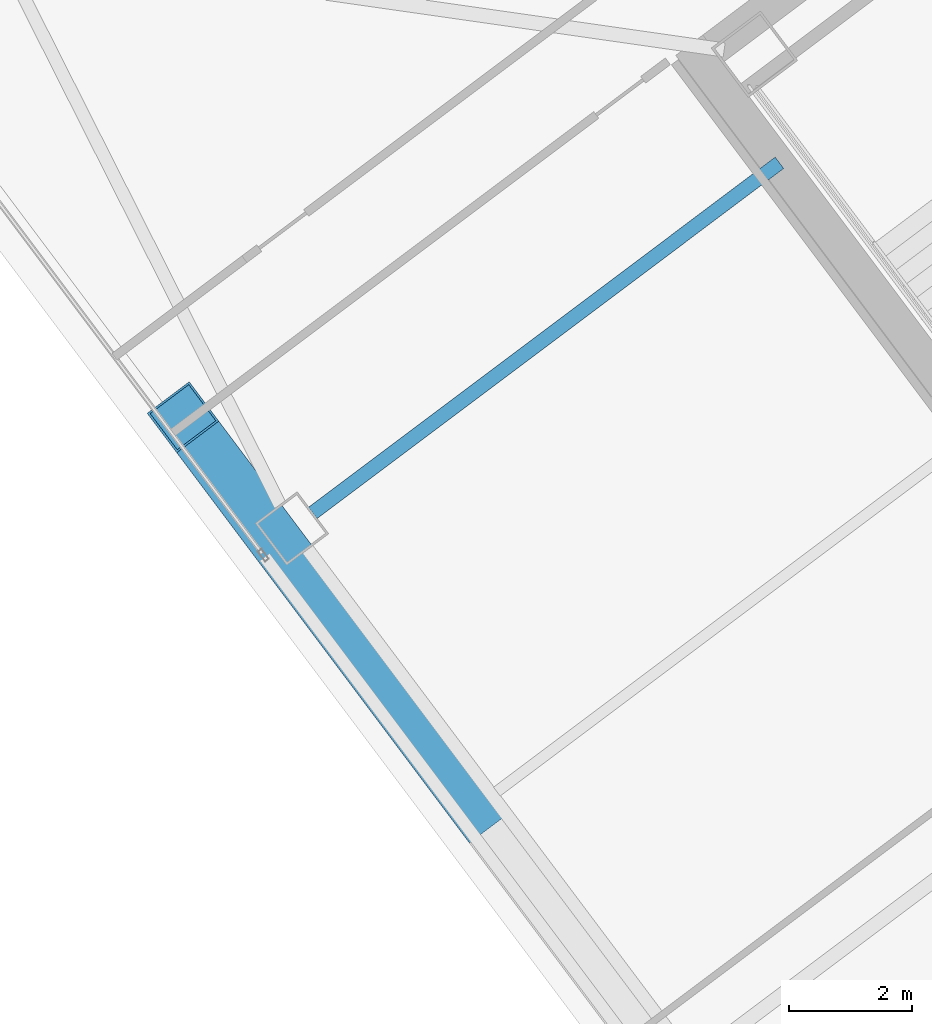
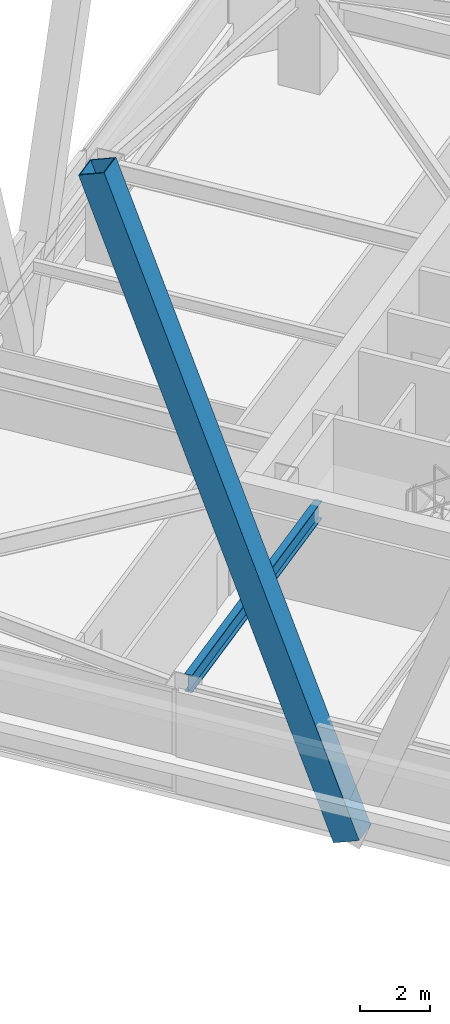
# One storey, part 24 of 50: 1 beam, 1 member.
"""IFC4 building model written with IfcOpenShell, lengths in metres."""

from ifc_helpers import new_model, si_unit, direction, frame, origin, origin_2d, place, context, subcontext, project, spatial, hollow_rectangle, i_section, extrude, material, material_profile, profile_set, type_object, element, save


model = new_model("IFC4")

# Units and contexts
model_context = context("Model", 3, precision=1e-05, world=origin(), true_north=direction((0.0, 1.0)))
body_context = subcontext(model_context, "Body", "Model", "MODEL_VIEW")
ifc_project = project(units=[si_unit("LENGTHUNIT", "METRE"), si_unit("AREAUNIT", "SQUARE_METRE"), si_unit("VOLUMEUNIT", "CUBIC_METRE"), si_unit("PLANEANGLEUNIT", "RADIAN"), si_unit("MASSUNIT", "GRAM", prefix="KILO")], contexts=[model_context])

# Site, building, storey
site_placement = place(None, origin())
site = spatial("IfcSite", under=ifc_project, at=site_placement, CompositionType="ELEMENT")
building_placement = place(site_placement, origin())
building = spatial("IfcBuilding", under=site, at=building_placement, Name="Tashvorn Skyway Center", CompositionType="ELEMENT")
storey_placement = place(building_placement, frame((0.0, 0.0, 114.39990234375)))
storey = spatial("IfcBuildingStorey", under=building, at=storey_placement, Name="L30", CompositionType="ELEMENT", Elevation=114.39990234375)

# Beam
ifc_material_1 = material(Name="Steel ASTM A992 Grade 50", Category="steel")
ifc_material_profile_1 = material_profile(ifc_material_1, i_section(OverallWidth=0.22998046875, OverallDepth=0.616943359375, WebThickness=0.01318359375, FlangeThickness=0.022216796875, at=origin_2d()), Name="W24X94")
ifc_profile_set_1 = profile_set([ifc_material_profile_1], Name="Steel ASTM A992 Grade 50")
beam_type = type_object("IfcBeamType", Name="BM-BEAM-W24X94", PredefinedType="BEAM", material=ifc_profile_set_1)
beam_placement = place(storey_placement, frame((96.97607421875, 25.98193359375, 3.0615234375), z_axis=(0.799984498661, 0.600020667896, 0.0), x_axis=(-0.600020667896, 0.799984498661, 0.0)))
element("IfcBeam", 1, at=beam_placement, inside=storey, type_object=beam_type, Name="Tower 2 L30 Primary Floor Girder FC-W1", PredefinedType="BEAM", context=body_context, shape_type="SweptSolid", body=[
    extrude(i_section(OverallWidth=0.22998046875, OverallDepth=0.616943359375, WebThickness=0.01318359375, FlangeThickness=0.022216796875, at=origin_2d()), origin(), (0.0, 0.0, 1.0), 9.449951171875),
])

# Member
ifc_material_2 = material(Name="Steel ASTM A572 Grade 50", Category="steel")
ifc_material_profile_2 = material_profile(ifc_material_2, hollow_rectangle(XDim=0.85009765625, YDim=0.85009765625, WallThickness=0.034912109375, at=origin_2d()), Name="BOX850x850x35")
ifc_profile_set_2 = profile_set([ifc_material_profile_2], Name="Steel ASTM A572 Grade 50")
member_type = type_object("IfcMemberType", Name="MEM-MB-850", PredefinedType="BRACE", material=ifc_profile_set_2)
member_placement = place(storey_placement, frame((99.615966796875, 21.2119140625, -0.199951171875), z_axis=(-0.210819259224, 0.281095965158, 0.936237308759), x_axis=(-0.800003708427, -0.599995055399, 0.0)))
element("IfcMember", 2, at=member_placement, inside=storey, type_object=member_type, Name="Tower 2 Zone 3 W Chevron Mega-Brace L1", PredefinedType="BRACE", context=body_context, shape_type="SweptSolid", body=[
    extrude(hollow_rectangle(XDim=0.85009765625, YDim=0.85009765625, WallThickness=0.034912109375, at=origin_2d()), origin(), (0.0, 0.0, 1.0), 22.483642578125),
])

save(model, "model.ifc")
